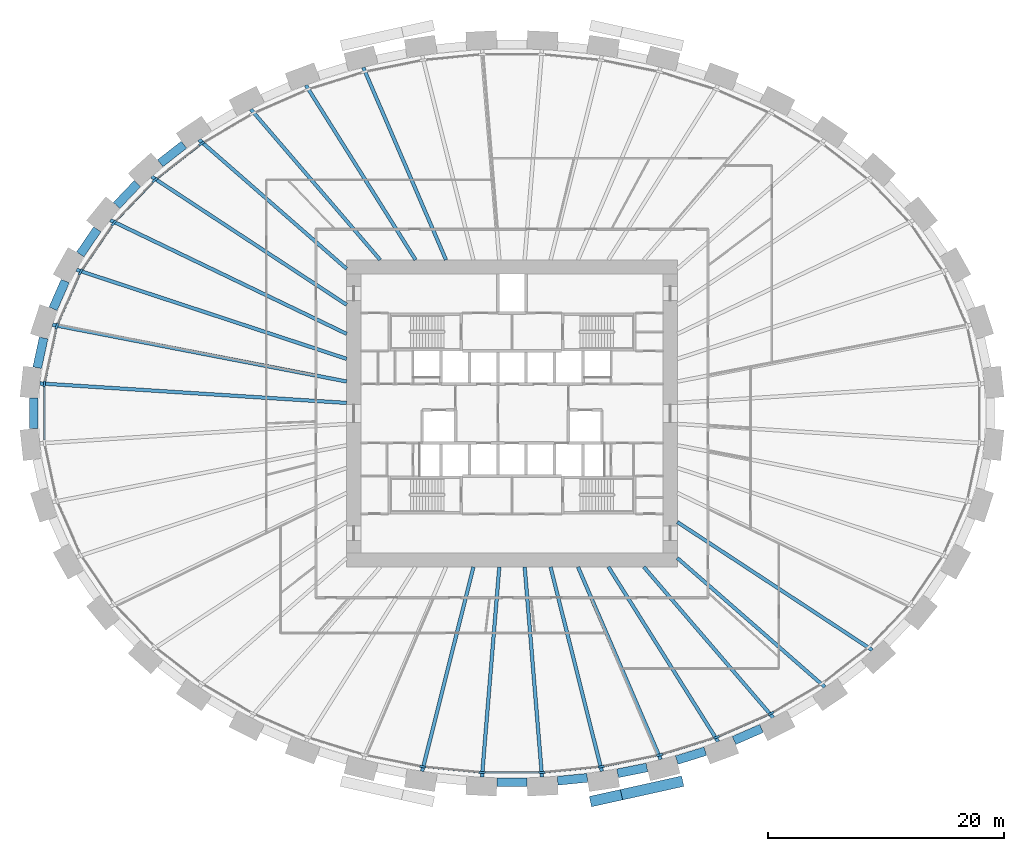
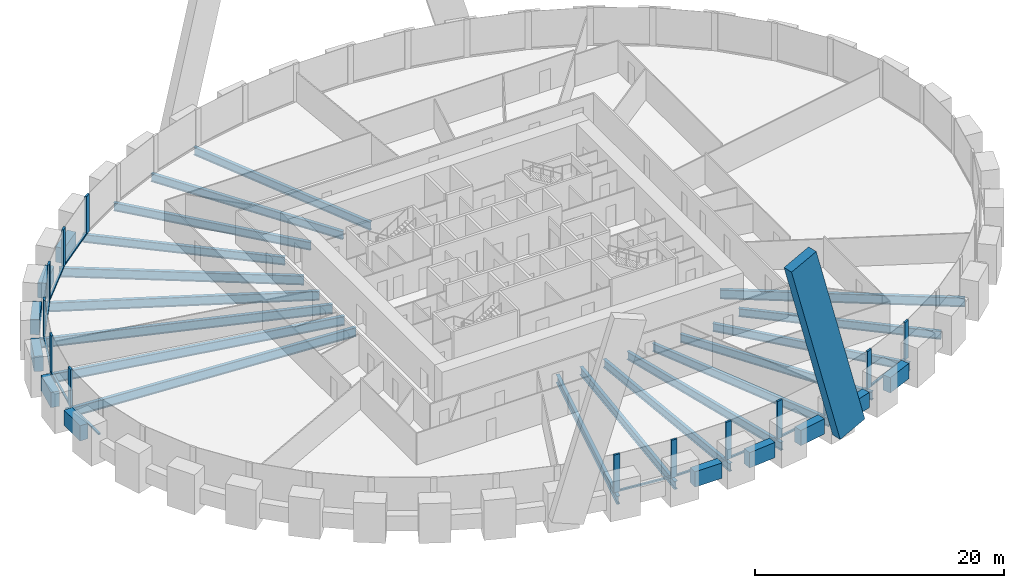
# One storey, part 2 of 11: 29 beams, 26 members, 1 element without a shape of its own.
"""IFC4 building model written with IfcOpenShell, lengths in metres."""

import ifcopenshell
import ifcopenshell.guid

model = None  # the IFC model being written
_history = None  # IfcOwnerHistory: only IFC2X3 demands one
_inside = {}  # id of a spatial element -> (the spatial element, [elements in it])
_under = {}  # id of a project, library or spatial element -> (it, [spatial elements below it])
_declared = {}  # id of a project -> (the project, [libraries it declares])
_typed = {}  # id of a type object -> (the type object, [elements of that type])
_made_of = {}  # id of a material, layer set ... -> (it, [elements and type objects made of it])


def new_model(schema):
    """Start an empty IFC model of exactly this schema.

    Asked for "IFC4X3", IfcOpenShell would pick the latest addendum, in which some entities
    have other attributes; the version numbers below select the first issue.
    IFC2X3 requires an IfcOwnerHistory on every rooted entity: one is made here for all.
    """
    global model, _history
    if schema == "IFC4X3":
        model = ifcopenshell.file(schema_version=(4, 3, 0, 0))
    else:
        model = ifcopenshell.file(schema=schema)
    _inside.clear()
    _under.clear()
    _declared.clear()
    _typed.clear()
    _made_of.clear()
    _history = None
    if model.schema == "IFC2X3":
        org = make("IfcOrganization", Name="unknown")
        user = make(
            "IfcPersonAndOrganization",
            ThePerson=make("IfcPerson", FamilyName="unknown"),
            TheOrganization=org,
        )
        app = make(
            "IfcApplication",
            ApplicationDeveloper=org,
            Version="unknown",
            ApplicationFullName="unknown",
            ApplicationIdentifier="unknown",
        )
        _history = make(
            "IfcOwnerHistory",
            OwningUser=user,
            OwningApplication=app,
            ChangeAction="ADDED",
            CreationDate=0,
        )
    return model


def make(cls, **values):
    """One entity of the class cls with the attributes given. An attribute that is None is left unset."""
    return model.create_entity(
        cls, **{name: value for name, value in values.items() if value is not None}
    )


def rooted(cls, **values):
    """An entity with a GlobalId (a new one), such as an element, a storey or a relation."""
    return make(cls, GlobalId=ifcopenshell.guid.new(), OwnerHistory=_history, **values)


def si_unit(unit_type, name, prefix=None):
    """IfcSIUnit, for example si_unit("LENGTHUNIT", "METRE", prefix="MILLI")."""
    return make("IfcSIUnit", UnitType=unit_type, Prefix=prefix, Name=name)


def assignment(units):
    """IfcUnitAssignment: the units of a project."""
    return None if units is None else make("IfcUnitAssignment", Units=units)


def point(xyz):
    """IfcCartesianPoint."""
    return None if xyz is None else make("IfcCartesianPoint", Coordinates=xyz)


def direction(xyz):
    """IfcDirection."""
    return None if xyz is None else make("IfcDirection", DirectionRatios=xyz)


def frame(location, z_axis=None, x_axis=None):
    """IfcAxis2Placement3D, a coordinate frame: its origin and axes. An axis left out is left unset."""
    return make(
        "IfcAxis2Placement3D",
        Location=point(location),
        Axis=direction(z_axis),
        RefDirection=direction(x_axis),
    )


def frame_2d(location, x_axis=None):
    """IfcAxis2Placement2D, a coordinate frame in the plane: its origin and x axis."""
    return make(
        "IfcAxis2Placement2D", Location=point(location), RefDirection=direction(x_axis)
    )


def origin():
    """The frame at (0, 0, 0) with its axes left unset."""
    return frame((0.0, 0.0, 0.0))


def origin_2d():
    """The frame at (0, 0) in the plane with its x axis left unset."""
    return frame_2d((0.0, 0.0))


def place(relative_to, where):
    """IfcLocalPlacement: puts the frame where relative to a parent placement (None: the world)."""
    return make(
        "IfcLocalPlacement", PlacementRelTo=relative_to, RelativePlacement=where
    )


def context(
    kind, dimensions, precision=None, world=None, true_north=None, identifier=None
):
    """IfcGeometricRepresentationContext, for example the 3D "Model" context."""
    return make(
        "IfcGeometricRepresentationContext",
        ContextIdentifier=identifier,
        ContextType=kind,
        CoordinateSpaceDimension=dimensions,
        Precision=precision,
        WorldCoordinateSystem=world,
        TrueNorth=true_north,
    )


def subcontext(parent, identifier, kind, view, scale=None):
    """IfcGeometricRepresentationSubContext, for example "Body" below "Model"."""
    return make(
        "IfcGeometricRepresentationSubContext",
        ContextIdentifier=identifier,
        ContextType=kind,
        ParentContext=parent,
        TargetScale=scale,
        TargetView=view,
    )


def project(units=None, contexts=None):
    """IfcProject with its units and contexts."""
    return rooted(
        "IfcProject",
        Name="project",
        RepresentationContexts=contexts,
        UnitsInContext=assignment(units),
    )


def spatial(cls, under=None, at=None, **own):
    """A site, building, storey or space (cls), placed at a placement, below another one or the project."""
    s = rooted(cls, ObjectPlacement=at, **own)
    if under is not None:
        _under.setdefault(under.id(), (under, []))[1].append(s)
    return s


def profile(cls, at=None, kind="AREA", **sizes):
    """A parametric profile (cls). Its sizes go by their IFC names, for example OverallWidth=200.0."""
    return make(cls, ProfileType=kind, Position=at, **sizes)


def rectangle(**sizes):
    """IfcRectangleProfileDef."""
    return profile("IfcRectangleProfileDef", **sizes)


def i_section(**sizes):
    """IfcIShapeProfileDef."""
    return profile("IfcIShapeProfileDef", **sizes)


def extrude(swept, where, along, depth):
    """IfcExtrudedAreaSolid: the profile swept, set in the frame where, extruded along a direction by depth."""
    return make(
        "IfcExtrudedAreaSolid",
        SweptArea=swept,
        Position=where,
        ExtrudedDirection=direction(along),
        Depth=depth,
    )


def shape(context_of_items, identifier, shape_type, items):
    """IfcShapeRepresentation: the items that make up one representation, for example the "Body"."""
    return make(
        "IfcShapeRepresentation",
        ContextOfItems=context_of_items,
        RepresentationIdentifier=identifier,
        RepresentationType=shape_type,
        Items=items,
    )


def source(mapping_origin, context_of_items, identifier, shape_type, items):
    """IfcRepresentationMap: a shape defined once, which mapped items show again and again."""
    return make(
        "IfcRepresentationMap",
        MappingOrigin=mapping_origin,
        MappedRepresentation=shape(context_of_items, identifier, shape_type, items),
    )


def transform(
    local_origin,
    x_axis=None,
    y_axis=None,
    z_axis=None,
    scale=None,
    scale2=None,
    scale3=None,
    uniform=True,
):
    """IfcCartesianTransformationOperator3D, or its non-uniform kind. x_axis, y_axis, z_axis: its Axis1, 2, 3."""
    if uniform:
        return make(
            "IfcCartesianTransformationOperator3D",
            Axis1=direction(x_axis),
            Axis2=direction(y_axis),
            LocalOrigin=point(local_origin),
            Scale=scale,
            Axis3=direction(z_axis),
        )
    return make(
        "IfcCartesianTransformationOperator3DnonUniform",
        Axis1=direction(x_axis),
        Axis2=direction(y_axis),
        LocalOrigin=point(local_origin),
        Scale=scale,
        Axis3=direction(z_axis),
        Scale2=scale2,
        Scale3=scale3,
    )


def mapped(mapping_source, mapping_target):
    """IfcMappedItem: shows the shape of a source again, moved by a transform."""
    return make(
        "IfcMappedItem", MappingSource=mapping_source, MappingTarget=mapping_target
    )


def material(Name=None, Category=None):
    """IfcMaterial."""
    return make("IfcMaterial", Name=Name, Category=Category)


def material_profile(
    of_material, cross_section, Name=None, Category=None, Priority=None
):
    """IfcMaterialProfile: a cross section and its material."""
    return make(
        "IfcMaterialProfile",
        Name=Name,
        Material=of_material,
        Profile=cross_section,
        Priority=Priority,
        Category=Category,
    )


def profile_set(profiles, Name=None, composite=None):
    """IfcMaterialProfileSet."""
    return make(
        "IfcMaterialProfileSet",
        Name=Name,
        MaterialProfiles=profiles,
        CompositeProfile=composite,
    )


def made_of(thing, what):
    """Note that an element or type object is made of a material, layer set ...; save() writes the relation."""
    if what is not None:
        _made_of.setdefault(what.id(), (what, []))[1].append(thing)
    return thing


def type_object(cls, material=None, **own):
    """A type object (cls), such as IfcWallType, which elements share."""
    return made_of(rooted(cls, **own), material)


def element(
    cls,
    number,
    at=None,
    inside=None,
    cuts=None,
    type_object=None,
    material=None,
    context=None,
    identifier="Body",
    shape_type=None,
    held_by="IfcProductDefinitionShape",
    body=None,
    shapes=None,
    **own,
):
    """One element of the class cls, such as IfcWall. Its Tag is "e" and its number.

    at: its placement. inside: the storey or other place that contains it. cuts: it is an
    opening in that element (IfcRelVoidsElement). A single representation is given by context,
    identifier, shape_type and body (its items); several are given by shapes. held_by: the class
    of the entity that holds the representations. save() writes the other relations.
    """
    e = rooted(cls, Tag="e%d" % number, ObjectPlacement=at, **own)
    if body is not None:
        shapes = [shape(context, identifier, shape_type, body)]
    if shapes is not None:
        e.Representation = make(held_by, Representations=shapes)
    if inside is not None:
        _inside.setdefault(inside.id(), (inside, []))[1].append(e)
    if cuts is not None:
        rooted(
            "IfcRelVoidsElement", RelatingBuildingElement=cuts, RelatedOpeningElement=e
        )
    if type_object is not None:
        _typed.setdefault(type_object.id(), (type_object, []))[1].append(e)
    return made_of(e, material)


def aggregate(whole, parts):
    """IfcRelAggregates: a whole, such as a stair, and the parts it consists of."""
    return rooted("IfcRelAggregates", RelatingObject=whole, RelatedObjects=parts)


def save(model, path):
    """Write the relations noted so far, then the file.

    IfcRelAggregates (storeys below a building ...), IfcRelContainedInSpatialStructure (elements
    in a storey), IfcRelDefinesByType, IfcRelAssociatesMaterial and IfcRelDeclares: one each for
    every whole, place, type object, material and project.
    """
    for whole, parts in _under.values():
        aggregate(whole, parts)
    for where, things in _inside.values():
        rooted(
            "IfcRelContainedInSpatialStructure",
            RelatedElements=things,
            RelatingStructure=where,
        )
    for kind, things in _typed.values():
        rooted("IfcRelDefinesByType", RelatedObjects=things, RelatingType=kind)
    for what, things in _made_of.values():
        rooted("IfcRelAssociatesMaterial", RelatedObjects=things, RelatingMaterial=what)
    for by, libraries in _declared.values():
        rooted("IfcRelDeclares", RelatingContext=by, RelatedDefinitions=libraries)
    model.write(path)


model = new_model("IFC4")

# Units and contexts
model_context = context("Model", 3, precision=1e-05, world=origin(), true_north=direction((0.0, 1.0)))
body_context = subcontext(model_context, "Body", "Model", "MODEL_VIEW")
ifc_project = project(units=[si_unit("LENGTHUNIT", "METRE"), si_unit("AREAUNIT", "SQUARE_METRE"), si_unit("VOLUMEUNIT", "CUBIC_METRE"), si_unit("PLANEANGLEUNIT", "RADIAN"), si_unit("MASSUNIT", "GRAM", prefix="KILO")], contexts=[model_context])

# Site, building, storey
site_placement = place(None, origin())
site = spatial("IfcSite", under=ifc_project, at=site_placement, CompositionType="ELEMENT")
building_placement = place(site_placement, origin())
building = spatial("IfcBuilding", under=site, at=building_placement, Name="Embergate Tower", CompositionType="ELEMENT")
storey_placement = place(building_placement, frame((0.0, 0.0, 73.699951171875)))
storey = spatial("IfcBuildingStorey", under=building, at=storey_placement, Name="L14", CompositionType="ELEMENT", Elevation=73.699951171875)

# Beams
ifc_material_1 = material(Name="Concrete C70", Category="concrete")
ifc_material_profile_1 = material_profile(ifc_material_1, rectangle(XDim=0.75, YDim=1.5, at=origin_2d()), Name="RC 750x1500")
ifc_profile_set_1 = profile_set([ifc_material_profile_1], Name="Concrete C70")
beam_type_1 = type_object("IfcBeamType", Name="Spandrel beam RC 750x1500 C70", PredefinedType="BEAM", material=ifc_profile_set_1)
shared_shape_1 = source(origin(), body_context, "Body", "SweptSolid", [
    extrude(rectangle(XDim=0.75, YDim=1.5, at=origin_2d()), origin(), (0.0, 0.0, 1.0), 2.5498046875),
])
beam_1_placement = place(storey_placement, frame((-31.72509765625, 19.4541015625, 0.0), z_axis=(-0.689760361446, -0.724037736432, 0.0), x_axis=(0.724037736432, -0.689760361446, 0.0)))
element("IfcBeam", 1, at=beam_1_placement, inside=storey, type_object=beam_type_1, Name="SPN-L14-17", PredefinedType="BEAM", context=body_context, shape_type="MappedRepresentation", body=[
    mapped(shared_shape_1, transform((0.0, 0.0, 0.0))),
])
shared_shape_2 = source(origin(), body_context, "Body", "SweptSolid", [
    extrude(rectangle(XDim=0.75, YDim=1.5, at=origin_2d()), origin(), (0.0, 0.0, 1.0), 2.5693359375),
])
beam_2_placement = place(storey_placement, frame((-39.662109375, 6.383056640625, 0.0), z_axis=(-0.210093623492, -0.977681271871, 0.0), x_axis=(0.977681271871, -0.210093623492, 0.0)))
element("IfcBeam", 2, at=beam_2_placement, inside=storey, type_object=beam_type_1, Name="SPN-L14-20", PredefinedType="BEAM", context=body_context, shape_type="MappedRepresentation", body=[
    mapped(shared_shape_2, transform((0.0, 0.0, 0.0))),
])
shared_shape_3 = source(origin(), body_context, "Body", "SweptSolid", [
    extrude(rectangle(XDim=0.75, YDim=1.5, at=origin_2d()), origin(), (0.0, 0.0, 1.0), 2.56591796875),
])
beam_3_placement = place(storey_placement, frame((-37.83203125, 11.20703125, 0.0), z_axis=(-0.401427690069, -0.915890719271, 0.0), x_axis=(0.915890719271, -0.401427690069, 0.0)))
element("IfcBeam", 3, at=beam_3_placement, inside=storey, type_object=beam_type_1, Name="SPN-L14-19", PredefinedType="BEAM", context=body_context, shape_type="MappedRepresentation", body=[
    mapped(shared_shape_3, transform((0.0, 0.0, 0.0))),
])
shared_shape_4 = source(origin(), body_context, "Body", "SweptSolid", [
    extrude(rectangle(XDim=0.75, YDim=1.5, at=origin_2d()), origin(), (0.0, 0.0, 1.0), 2.556640625),
])
beam_4_placement = place(storey_placement, frame((-35.117919921875, 15.5859375, 0.0), z_axis=(-0.562432772417, -0.826843018058, 0.0), x_axis=(0.826843018058, -0.562432772417, 0.0)))
element("IfcBeam", 4, at=beam_4_placement, inside=storey, type_object=beam_type_1, Name="SPN-L14-18", PredefinedType="BEAM", context=body_context, shape_type="MappedRepresentation", body=[
    mapped(shared_shape_4, transform((0.0, 0.0, 0.0))),
])
shared_shape_5 = source(origin(), body_context, "Body", "SweptSolid", [
    extrude(rectangle(XDim=0.75, YDim=1.5, at=origin_2d()), origin(), (0.0, 0.0, 1.0), 2.542724609375),
])
beam_5_placement = place(storey_placement, frame((-27.779052734375, 22.748046875, 0.0), z_axis=(-0.788472504965, -0.615070003264, 0.0), x_axis=(0.615070003264, -0.788472504965, 0.0)))
element("IfcBeam", 5, at=beam_5_placement, inside=storey, type_object=beam_type_1, Name="SPN-L14-16", PredefinedType="BEAM", context=body_context, shape_type="MappedRepresentation", body=[
    mapped(shared_shape_5, transform((0.0, 0.0, 0.0))),
])
shared_shape_6 = source(origin(), body_context, "Body", "SweptSolid", [
    extrude(rectangle(XDim=0.75, YDim=1.5, at=origin_2d()), origin(), (0.0, 0.0, 1.0), 2.53466796875),
])
beam_6_placement = place(storey_placement, frame((18.803955078125, -27.694091796875, 0.0), z_axis=(0.91612417153, 0.400894627474, 0.0), x_axis=(-0.400894627474, 0.91612417153, 0.0)))
element("IfcBeam", 6, at=beam_6_placement, inside=storey, type_object=beam_type_1, Name="SPN-L14-36", PredefinedType="BEAM", context=body_context, shape_type="MappedRepresentation", body=[
    mapped(shared_shape_6, transform((0.0, 0.0, 0.0))),
])
shared_shape_7 = source(origin(), body_context, "Body", "SweptSolid", [
    extrude(rectangle(XDim=0.75, YDim=1.5, at=origin_2d()), origin(), (0.0, 0.0, 1.0), 2.5322265625),
])
beam_7_placement = place(storey_placement, frame((13.949951171875, -29.35498046875, 0.0), z_axis=(0.954890803875, 0.296957156294, 0.0), x_axis=(-0.296957156294, 0.954890803875, 0.0)))
element("IfcBeam", 7, at=beam_7_placement, inside=storey, type_object=beam_type_1, Name="SPN-L14-35", PredefinedType="BEAM", context=body_context, shape_type="MappedRepresentation", body=[
    mapped(shared_shape_7, transform((0.0, 0.0, 0.0))),
])
shared_shape_8 = source(origin(), body_context, "Body", "SweptSolid", [
    extrude(rectangle(XDim=0.75, YDim=1.5, at=origin_2d()), origin(), (0.0, 0.0, 1.0), 2.5283203125),
])
beam_8_placement = place(storey_placement, frame((8.947021484375, -30.47607421875, 0.0), z_axis=(0.980483995477, 0.19659891814, 0.0), x_axis=(-0.19659891814, 0.980483995477, 0.0)))
element("IfcBeam", 8, at=beam_8_placement, inside=storey, type_object=beam_type_1, Name="SPN-L14-34", PredefinedType="BEAM", context=body_context, shape_type="MappedRepresentation", body=[
    mapped(shared_shape_8, transform((0.0, 0.0, 0.0))),
])
shared_shape_9 = source(origin(), body_context, "Body", "SweptSolid", [
    extrude(rectangle(XDim=0.75, YDim=1.5, at=origin_2d()), origin(), (0.0, 0.0, 1.0), 2.52685546875),
])
beam_9_placement = place(storey_placement, frame((3.861083984375, -31.10693359375, 0.0), z_axis=(0.995218218031, 0.097676499217, 0.0), x_axis=(-0.097676499217, 0.995218218031, 0.0)))
element("IfcBeam", 9, at=beam_9_placement, inside=storey, type_object=beam_type_1, Name="SPN-L14-33", PredefinedType="BEAM", context=body_context, shape_type="MappedRepresentation", body=[
    mapped(shared_shape_9, transform((0.0, 0.0, 0.0))),
])
shared_shape_10 = source(origin(), body_context, "Body", "SweptSolid", [
    extrude(rectangle(XDim=0.75, YDim=1.5, at=origin_2d()), origin(), (0.0, 0.0, 1.0), 2.52783203125),
])
beam_10_placement = place(storey_placement, frame((-1.263916015625, -31.23388671875, 0.0), z_axis=(1.0, 0.0, 0.0), x_axis=(0.0, 1.0, 0.0)))
element("IfcBeam", 10, at=beam_10_placement, inside=storey, type_object=beam_type_1, Name="SPN-L14-32", PredefinedType="BEAM", context=body_context, shape_type="MappedRepresentation", body=[
    mapped(shared_shape_10, transform((0.0, 0.0, 0.0))),
])
shared_shape_11 = source(origin(), body_context, "Body", "SweptSolid", [
    extrude(rectangle(XDim=0.75, YDim=1.5, at=origin_2d()), origin(), (0.0, 0.0, 1.0), 2.576171875),
])
beam_11_placement = place(storey_placement, frame((-40.4970703125, 1.2880859375, 0.0), z_axis=(0.0, -1.0, 0.0), x_axis=(1.0, 0.0, 0.0)))
element("IfcBeam", 11, at=beam_11_placement, inside=storey, type_object=beam_type_1, Name="SPN-L14-21", PredefinedType="BEAM", context=body_context, shape_type="MappedRepresentation", body=[
    mapped(shared_shape_11, transform((0.0, 0.0, 0.0))),
])
ifc_material_2 = material(Name="Steel Q355B", Category="steel")
ifc_material_profile_2 = material_profile(ifc_material_2, i_section(OverallWidth=0.300048828125, OverallDepth=0.89990234375, WebThickness=0.01611328125, FlangeThickness=0.028076171875, FilletRadius=0.028076171875, at=origin_2d()), Name="HN 900x300x16x28")
ifc_profile_set_2 = profile_set([ifc_material_profile_2], Name="Steel Q355 grade B")
beam_type_2 = type_object("IfcBeamType", Name="Radial girder HN 900x300x16x28", PredefinedType="BEAM", material=ifc_profile_set_2)
shared_shape_12 = source(origin(), body_context, "Body", "SweptSolid", [
    extrude(i_section(OverallWidth=0.300048828125, OverallDepth=0.89990234375, WebThickness=0.01611328125, FlangeThickness=0.028076171875, FilletRadius=0.028076171875, at=origin_2d()), origin(), (0.0, 0.0, 1.0), 26.034423828125),
])
beam_12_placement = place(storey_placement, frame((-39.98193359375, 2.5400390625, -0.64990234375), z_axis=(0.997986864702, -0.063420957753, 0.0), x_axis=(0.063420957753, 0.997986864702, 0.0)))
element("IfcBeam", 12, at=beam_12_placement, inside=storey, type_object=beam_type_2, Name="GIR-L14-21", PredefinedType="BEAM", context=body_context, shape_type="MappedRepresentation", body=[
    mapped(shared_shape_12, transform((0.0, 0.0, 0.0))),
])
shared_shape_13 = source(origin(), body_context, "Body", "SweptSolid", [
    extrude(i_section(OverallWidth=0.300048828125, OverallDepth=0.89990234375, WebThickness=0.01611328125, FlangeThickness=0.028076171875, FilletRadius=0.028076171875, at=origin_2d()), origin(), (0.0, 0.0, 1.0), 25.373291015625),
])
beam_13_placement = place(storey_placement, frame((-38.9140625, 7.507080078125, -0.64990234375), z_axis=(0.981896748495, -0.189416935078, 0.0), x_axis=(0.189416935078, 0.981896748495, 0.0)))
element("IfcBeam", 13, at=beam_13_placement, inside=storey, type_object=beam_type_2, Name="GIR-L14-20", PredefinedType="BEAM", context=body_context, shape_type="MappedRepresentation", body=[
    mapped(shared_shape_13, transform((0.0, 0.0, 0.0))),
])
shared_shape_14 = source(origin(), body_context, "Body", "SweptSolid", [
    extrude(i_section(OverallWidth=0.300048828125, OverallDepth=0.89990234375, WebThickness=0.01611328125, FlangeThickness=0.028076171875, FilletRadius=0.028076171875, at=origin_2d()), origin(), (0.0, 0.0, 1.0), 24.0849609375),
])
beam_14_placement = place(storey_placement, frame((-36.873046875, 12.160888671875, -0.64990234375), z_axis=(0.949680038857, -0.313221684748, 0.0), x_axis=(0.313221684748, 0.949680038857, 0.0)))
element("IfcBeam", 14, at=beam_14_placement, inside=storey, type_object=beam_type_2, Name="GIR-L14-19", PredefinedType="BEAM", context=body_context, shape_type="MappedRepresentation", body=[
    mapped(shared_shape_14, transform((0.0, 0.0, 0.0))),
])
shared_shape_15 = source(origin(), body_context, "Body", "SweptSolid", [
    extrude(i_section(OverallWidth=0.300048828125, OverallDepth=0.89990234375, WebThickness=0.01611328125, FlangeThickness=0.028076171875, FilletRadius=0.028076171875, at=origin_2d()), origin(), (0.0, 0.0, 1.0), 22.210693359375),
])
beam_15_placement = place(storey_placement, frame((-34.014892578125, 16.364013671875, -0.64990234375), z_axis=(0.90114054222, -0.433527073165, 0.0), x_axis=(0.433527073165, 0.90114054222, 0.0)))
element("IfcBeam", 15, at=beam_15_placement, inside=storey, type_object=beam_type_2, Name="GIR-L14-18", PredefinedType="BEAM", context=body_context, shape_type="MappedRepresentation", body=[
    mapped(shared_shape_15, transform((0.0, 0.0, 0.0))),
])
shared_shape_16 = source(origin(), body_context, "Body", "SweptSolid", [
    extrude(i_section(OverallWidth=0.300048828125, OverallDepth=0.89990234375, WebThickness=0.01611328125, FlangeThickness=0.028076171875, FilletRadius=0.028076171875, at=origin_2d()), origin(), (0.0, 0.0, 1.0), 19.75),
])
for number, where, z_axis, x_axis, name in (
    (16, (-30.506103515625, 20.04296875, -0.64990234375), (0.835749566876, -0.549110791614, 0.0), (0.549110791614, 0.835749566876, 0.0), "GIR-L14-17"),
    (17, (30.506103515625, -20.04296875, -0.64990234375), (-0.835749566876, 0.549110791614, 0.0), (-0.549110791614, -0.835749566876, 0.0), "GIR-L14-39"),
):
    element("IfcBeam", number, at=place(storey_placement, frame(where, z_axis=z_axis, x_axis=x_axis)), inside=storey, type_object=beam_type_2, Name=name, PredefinedType="BEAM", context=body_context, shape_type="MappedRepresentation", body=[
        mapped(shared_shape_16, transform((0.0, 0.0, 0.0))),
    ])
ifc_material_profile_3 = material_profile(ifc_material_2, i_section(OverallWidth=0.300048828125, OverallDepth=0.800048828125, WebThickness=0.013916015625, FlangeThickness=0.02587890625, FilletRadius=0.028076171875, at=origin_2d()), Name="HN 800x300x14x26")
ifc_profile_set_3 = profile_set([ifc_material_profile_3], Name="Steel Q355 grade B")
beam_type_3 = type_object("IfcBeamType", Name="Radial girder HN 800x300x14x26", PredefinedType="BEAM", material=ifc_profile_set_3)
shared_shape_17 = source(origin(), body_context, "Body", "SweptSolid", [
    extrude(i_section(OverallWidth=0.300048828125, OverallDepth=0.800048828125, WebThickness=0.013916015625, FlangeThickness=0.02587890625, FilletRadius=0.028076171875, at=origin_2d()), origin(), (0.0, 0.0, 1.0), 16.60205078125),
])
for number, where, z_axis, x_axis, name in (
    (18, (-26.4970703125, 23.172119140625, -0.599853515625), (0.752747930404, -0.65830885857, 0.0), (0.65830885857, 0.752747930404, 0.0), "GIR-L14-16"),
    (19, (26.4970703125, -23.172119140625, -0.599853515625), (-0.752747930404, 0.65830885857, 0.0), (-0.65830885857, -0.752747930404, 0.0), "GIR-L14-38"),
):
    element("IfcBeam", number, at=place(storey_placement, frame(where, z_axis=z_axis, x_axis=x_axis)), inside=storey, type_object=beam_type_3, Name=name, PredefinedType="BEAM", context=body_context, shape_type="MappedRepresentation", body=[
        mapped(shared_shape_17, transform((0.0, 0.0, 0.0))),
    ])
shared_shape_18 = source(origin(), body_context, "Body", "SweptSolid", [
    extrude(i_section(OverallWidth=0.300048828125, OverallDepth=0.800048828125, WebThickness=0.013916015625, FlangeThickness=0.02587890625, FilletRadius=0.028076171875, at=origin_2d()), origin(), (0.0, 0.0, 1.0), 16.805908203125),
])
for number, where, z_axis, x_axis, name in (
    (20, (-22.113037109375, 25.75, -0.599853515625), (0.651490955051, -0.758656401467, 0.0), (0.758656401467, 0.651490955051, 0.0), "GIR-L14-15"),
    (21, (22.113037109375, -25.75, -0.599853515625), (-0.651490955051, 0.758656401467, 0.0), (-0.758656401467, -0.651490955051, 0.0), "GIR-L14-37"),
):
    element("IfcBeam", number, at=place(storey_placement, frame(where, z_axis=z_axis, x_axis=x_axis)), inside=storey, type_object=beam_type_3, Name=name, PredefinedType="BEAM", context=body_context, shape_type="MappedRepresentation", body=[
        mapped(shared_shape_18, transform((0.0, 0.0, 0.0))),
    ])
shared_shape_19 = source(origin(), body_context, "Body", "SweptSolid", [
    extrude(i_section(OverallWidth=0.300048828125, OverallDepth=0.800048828125, WebThickness=0.013916015625, FlangeThickness=0.02587890625, FilletRadius=0.028076171875, at=origin_2d()), origin(), (0.0, 0.0, 1.0), 17.463623046875),
])
for number, where, z_axis, x_axis, name in (
    (22, (-17.451904296875, 27.7890625, -0.599853515625), (0.531837384954, -0.846846500828, 0.0), (0.846846500828, 0.531837384954, 0.0), "GIR-L14-14"),
    (23, (17.451904296875, -27.7890625, -0.599853515625), (-0.531837384954, 0.846846500828, 0.0), (-0.846846500828, -0.531837384954, 0.0), "GIR-L14-36"),
):
    element("IfcBeam", number, at=place(storey_placement, frame(where, z_axis=z_axis, x_axis=x_axis)), inside=storey, type_object=beam_type_3, Name=name, PredefinedType="BEAM", context=body_context, shape_type="MappedRepresentation", body=[
        mapped(shared_shape_19, transform((0.0, 0.0, 0.0))),
    ])
shared_shape_20 = source(origin(), body_context, "Body", "SweptSolid", [
    extrude(i_section(OverallWidth=0.300048828125, OverallDepth=0.800048828125, WebThickness=0.013916015625, FlangeThickness=0.02587890625, FilletRadius=0.028076171875, at=origin_2d()), origin(), (0.0, 0.0, 1.0), 17.7431640625),
])
for number, where, z_axis, x_axis, name in (
    (24, (-12.594970703125, 29.301025390625, -0.599853515625), (0.394915454917, -0.918717466617, 0.0), (0.918717466617, 0.394915454917, 0.0), "GIR-L14-13"),
    (25, (12.594970703125, -29.301025390625, -0.599853515625), (-0.394915454917, 0.918717466617, 0.0), (-0.918717466617, -0.394915454917, 0.0), "GIR-L14-35"),
):
    element("IfcBeam", number, at=place(storey_placement, frame(where, z_axis=z_axis, x_axis=x_axis)), inside=storey, type_object=beam_type_3, Name=name, PredefinedType="BEAM", context=body_context, shape_type="MappedRepresentation", body=[
        mapped(shared_shape_20, transform((0.0, 0.0, 0.0))),
    ])
shared_shape_21 = source(origin(), body_context, "Body", "SweptSolid", [
    extrude(i_section(OverallWidth=0.300048828125, OverallDepth=0.800048828125, WebThickness=0.013916015625, FlangeThickness=0.02587890625, FilletRadius=0.028076171875, at=origin_2d()), origin(), (0.0, 0.0, 1.0), 17.837890625),
])
for number, where, z_axis, x_axis, name in (
    (26, (-7.60693359375, -30.301025390625, -0.599853515625), (0.243472648056, 0.969907763475, 0.0), (-0.969907763475, 0.243472648056, 0.0), "GIR-L14-31"),
    (27, (7.60693359375, -30.301025390625, -0.599853515625), (-0.243472648056, 0.969907763475, 0.0), (-0.969907763475, -0.243472648056, 0.0), "GIR-L14-34"),
):
    element("IfcBeam", number, at=place(storey_placement, frame(where, z_axis=z_axis, x_axis=x_axis)), inside=storey, type_object=beam_type_3, Name=name, PredefinedType="BEAM", context=body_context, shape_type="MappedRepresentation", body=[
        mapped(shared_shape_21, transform((0.0, 0.0, 0.0))),
    ])
shared_shape_22 = source(origin(), body_context, "Body", "SweptSolid", [
    extrude(i_section(OverallWidth=0.300048828125, OverallDepth=0.800048828125, WebThickness=0.013916015625, FlangeThickness=0.02587890625, FilletRadius=0.028076171875, at=origin_2d()), origin(), (0.0, 0.0, 1.0), 17.859619140625),
])
for number, where, z_axis, x_axis, name in (
    (28, (-2.5439453125, -30.799072265625, -0.599853515625), (0.082306714571, 0.996607046301, 0.0), (-0.996607046301, 0.082306714571, 0.0), "GIR-L14-32"),
    (29, (2.5439453125, -30.799072265625, -0.599853515625), (-0.082306714571, 0.996607046301, 0.0), (-0.996607046301, -0.082306714571, 0.0), "GIR-L14-33"),
):
    element("IfcBeam", number, at=place(storey_placement, frame(where, z_axis=z_axis, x_axis=x_axis)), inside=storey, type_object=beam_type_3, Name=name, PredefinedType="BEAM", context=body_context, shape_type="MappedRepresentation", body=[
        mapped(shared_shape_22, transform((0.0, 0.0, 0.0))),
    ])

# Member
ifc_material_profile_4 = material_profile(ifc_material_1, rectangle(XDim=0.89990234375, YDim=2.800048828125, at=origin_2d()), Name="RC 900x2800")
ifc_profile_set_4 = profile_set([ifc_material_profile_4], Name="Concrete C70")
member_type_1 = type_object("IfcMemberType", Name="Lattice diagonal terracotta-faced RC 900x2800", PredefinedType="BRACE", material=ifc_profile_set_4)
shared_shape_23 = source(origin(), body_context, "Body", "SweptSolid", [
    extrude(rectangle(XDim=0.89990234375, YDim=2.800048828125, at=origin_2d()), origin(), (0.0, 0.0, 1.0), 19.676025390625),
])
member_1_placement = place(storey_placement, frame((13.136962890625, -31.43310546875, 0.032958984375), z_axis=(-0.26326188812, -0.05844198016, 0.962952601751), x_axis=(0.216716091224, -0.976234672507, 0.0)))
element("IfcMember", 30, at=member_1_placement, inside=storey, type_object=member_type_1, Name="BRP-S-1-03", PredefinedType="BRACE", context=body_context, shape_type="MappedRepresentation", body=[
    mapped(shared_shape_23, transform((0.0, 0.0, 0.0))),
])

# Curtain wall, members
ifc_material_3 = material(Name="Aluminium and glass", Category="aluminium")
curtain_wall_type = type_object("IfcCurtainWallType", Name="Recessed office glazing", PredefinedType="NOTDEFINED", material=ifc_material_3)
curtain_wall_placement = place(storey_placement, origin())
curtain_wall = element("IfcCurtainWall", 31, at=curtain_wall_placement, inside=storey, type_object=curtain_wall_type, Name="Recessed office glazing ring", ObjectType="RECESSED OFFICE GLAZING", PredefinedType="USERDEFINED")
ifc_material_4 = material(Name="Aluminium, thermally broken", Category="aluminium")
ifc_material_profile_5 = material_profile(ifc_material_4, rectangle(XDim=0.179931640625, YDim=0.52001953125, at=origin_2d()), Name="AL 520x180")
ifc_profile_set_5 = profile_set([ifc_material_profile_5], Name="Aluminium, thermally broken")
member_type_2 = type_object("IfcMemberType", Name="Office mullion", PredefinedType="MULLION", material=ifc_profile_set_5)
shared_shape_24 = source(origin(), body_context, "Body", "SweptSolid", [
    extrude(rectangle(XDim=0.179931640625, YDim=0.52001953125, at=origin_2d()), origin(), (0.0, 0.0, 1.0), 3.699951171875),
])
member_2_placement = place(storey_placement, frame((-26.278564453125, 22.849365234375, 0.0), z_axis=(0.0, 0.0, 1.0), x_axis=(0.562223392005, -0.826985403428, 0.0)))
member_2 = element("IfcMember", 32, at=member_2_placement, type_object=member_type_2, Name="CW mullion 17", PredefinedType="MULLION", context=body_context, shape_type="MappedRepresentation", body=[
    mapped(shared_shape_24, transform((0.0, 0.0, 0.0))),
])
member_3_placement = place(storey_placement, frame((-30.2451171875, 19.75341796875, 0.0), z_axis=(0.0, 0.0, 1.0), x_axis=(0.671234296295, -0.74124524921, 0.0)))
member_3 = element("IfcMember", 33, at=member_3_placement, type_object=member_type_2, Name="CW mullion 18", PredefinedType="MULLION", context=body_context, shape_type="MappedRepresentation", body=[
    mapped(shared_shape_24, transform((0.0, 0.0, 0.0))),
])
member_4_placement = place(storey_placement, frame((-33.712158203125, 16.11767578125, 0.0), z_axis=(0.0, 0.0, 1.0), x_axis=(0.777880241921, -0.628412547002, 0.0)))
member_4 = element("IfcMember", 34, at=member_4_placement, type_object=member_type_2, Name="CW mullion 19", PredefinedType="MULLION", context=body_context, shape_type="MappedRepresentation", body=[
    mapped(shared_shape_24, transform((0.0, 0.0, 0.0))),
])
member_5_placement = place(storey_placement, frame((-36.532470703125, 11.970458984375, 0.0), z_axis=(0.0, 0.0, 1.0), x_axis=(0.875007810402, -0.484108801547, 0.0)))
member_5 = element("IfcMember", 35, at=member_5_placement, type_object=member_type_2, Name="CW mullion 20", PredefinedType="MULLION", context=body_context, shape_type="MappedRepresentation", body=[
    mapped(shared_shape_24, transform((0.0, 0.0, 0.0))),
])
member_6_placement = place(storey_placement, frame((-38.543212890625, 7.3857421875, 0.0), z_axis=(0.0, 0.0, 1.0), x_axis=(0.951501019702, -0.307645590748, 0.0)))
member_6 = element("IfcMember", 36, at=member_6_placement, type_object=member_type_2, Name="CW mullion 21", PredefinedType="MULLION", context=body_context, shape_type="MappedRepresentation", body=[
    mapped(shared_shape_24, transform((0.0, 0.0, 0.0))),
])
member_7_placement = place(storey_placement, frame((-39.59521484375, 2.498291015625, 0.0), z_axis=(0.0, 0.0, 1.0), x_axis=(0.994385324123, -0.105819786286, 0.0)))
member_7 = element("IfcMember", 37, at=member_7_placement, type_object=member_type_2, Name="CW mullion 22", PredefinedType="MULLION", context=body_context, shape_type="MappedRepresentation", body=[
    mapped(shared_shape_24, transform((0.0, 0.0, 0.0))),
])
member_8_placement = place(storey_placement, frame((-7.549560546875, -29.915283203125, 0.0), z_axis=(0.0, 0.0, 1.0), x_axis=(0.14741410908, 0.98907486089, 0.0)))
member_8 = element("IfcMember", 38, at=member_8_placement, type_object=member_type_2, Name="CW mullion 32", PredefinedType="MULLION", context=body_context, shape_type="MappedRepresentation", body=[
    mapped(shared_shape_24, transform((0.0, 0.0, 0.0))),
])
member_9_placement = place(storey_placement, frame((-2.524658203125, -30.409423828125, 0.0), z_axis=(0.0, 0.0, 1.0), x_axis=(0.048971796621, 0.998800161762, 0.0)))
member_9 = element("IfcMember", 39, at=member_9_placement, type_object=member_type_2, Name="CW mullion 33", PredefinedType="MULLION", context=body_context, shape_type="MappedRepresentation", body=[
    mapped(shared_shape_24, transform((0.0, 0.0, 0.0))),
])
member_10_placement = place(storey_placement, frame((2.524658203125, -30.409423828125, 0.0), z_axis=(0.0, 0.0, 1.0), x_axis=(-0.048971796621, 0.998800161762, 0.0)))
member_10 = element("IfcMember", 40, at=member_10_placement, type_object=member_type_2, Name="CW mullion 34", PredefinedType="MULLION", context=body_context, shape_type="MappedRepresentation", body=[
    mapped(shared_shape_24, transform((0.0, 0.0, 0.0))),
])
member_11_placement = place(storey_placement, frame((7.549560546875, -29.915283203125, 0.0), z_axis=(0.0, 0.0, 1.0), x_axis=(-0.14741410908, 0.98907486089, 0.0)))
member_11 = element("IfcMember", 41, at=member_11_placement, type_object=member_type_2, Name="CW mullion 35", PredefinedType="MULLION", context=body_context, shape_type="MappedRepresentation", body=[
    mapped(shared_shape_24, transform((0.0, 0.0, 0.0))),
])
member_12_placement = place(storey_placement, frame((12.498779296875, -28.9228515625, 0.0), z_axis=(0.0, 0.0, 1.0), x_axis=(-0.247315263593, 0.968935065107, 0.0)))
member_12 = element("IfcMember", 42, at=member_12_placement, type_object=member_type_2, Name="CW mullion 36", PredefinedType="MULLION", context=body_context, shape_type="MappedRepresentation", body=[
    mapped(shared_shape_24, transform((0.0, 0.0, 0.0))),
])
member_13_placement = place(storey_placement, frame((17.31591796875, -27.422607421875, 0.0), z_axis=(0.0, 0.0, 1.0), x_axis=(-0.349507588628, 0.936933533124, 0.0)))
member_13 = element("IfcMember", 43, at=member_13_placement, type_object=member_type_2, Name="CW mullion 37", PredefinedType="MULLION", context=body_context, shape_type="MappedRepresentation", body=[
    mapped(shared_shape_24, transform((0.0, 0.0, 0.0))),
])
member_14_placement = place(storey_placement, frame((21.935791015625, -25.402587890625, 0.0), z_axis=(0.0, 0.0, 1.0), x_axis=(-0.454516044429, 0.890738550506, 0.0)))
member_14 = element("IfcMember", 44, at=member_14_placement, type_object=member_type_2, Name="CW mullion 38", PredefinedType="MULLION", context=body_context, shape_type="MappedRepresentation", body=[
    mapped(shared_shape_24, transform((0.0, 0.0, 0.0))),
])
ifc_material_profile_6 = material_profile(ifc_material_4, rectangle(XDim=0.179931640625, YDim=0.14990234375, at=origin_2d()), Name="AL 150x180")
ifc_profile_set_6 = profile_set([ifc_material_profile_6], Name="Aluminium, thermally broken")
member_type_3 = type_object("IfcMemberType", Name="Office sill transom", PredefinedType="USERDEFINED", material=ifc_profile_set_6)
shared_shape_25 = source(origin(), body_context, "Body", "SweptSolid", [
    extrude(rectangle(XDim=0.179931640625, YDim=0.14990234375, at=origin_2d()), origin(), (0.0, 0.0, 1.0), 4.50390625),
])
member_15_placement = place(storey_placement, frame((-30.42431640625, 19.565185546875, 0.074951171875), z_axis=(-0.69015852771, -0.723658211194, 0.0), x_axis=(0.723658211194, -0.69015852771, 0.0)))
member_15 = element("IfcMember", 45, at=member_15_placement, type_object=member_type_3, Name="CW transom 18.1", ObjectType="TRANSOM", PredefinedType="USERDEFINED", context=body_context, shape_type="MappedRepresentation", body=[
    mapped(shared_shape_25, transform((0.0, 0.0, 0.0))),
])
shared_shape_26 = source(origin(), body_context, "Body", "SweptSolid", [
    extrude(rectangle(XDim=0.179931640625, YDim=0.14990234375, at=origin_2d()), origin(), (0.0, 0.0, 1.0), 4.4794921875),
])
member_16_placement = place(storey_placement, frame((-38.597900390625, 7.131591796875, 0.074951171875), z_axis=(-0.210381382065, -0.977619391216, 0.0), x_axis=(0.977619391216, -0.210381382065, 0.0)))
member_16 = element("IfcMember", 46, at=member_16_placement, type_object=member_type_3, Name="CW transom 21.1", ObjectType="TRANSOM", PredefinedType="USERDEFINED", context=body_context, shape_type="MappedRepresentation", body=[
    mapped(shared_shape_26, transform((0.0, 0.0, 0.0))),
])
shared_shape_27 = source(origin(), body_context, "Body", "SweptSolid", [
    extrude(rectangle(XDim=0.179931640625, YDim=0.14990234375, at=origin_2d()), origin(), (0.0, 0.0, 1.0), 4.486328125),
])
member_17_placement = place(storey_placement, frame((-36.636962890625, 11.732421875, 0.074951171875), z_axis=(-0.401655089719, -0.915791018138, 0.0), x_axis=(0.915791018138, -0.401655089719, 0.0)))
member_17 = element("IfcMember", 47, at=member_17_placement, type_object=member_type_3, Name="CW transom 20.1", ObjectType="TRANSOM", PredefinedType="USERDEFINED", context=body_context, shape_type="MappedRepresentation", body=[
    mapped(shared_shape_27, transform((0.0, 0.0, 0.0))),
])
shared_shape_28 = source(origin(), body_context, "Body", "SweptSolid", [
    extrude(rectangle(XDim=0.179931640625, YDim=0.14990234375, at=origin_2d()), origin(), (0.0, 0.0, 1.0), 4.4951171875),
])
member_18_placement = place(storey_placement, frame((-33.8583984375, 15.902587890625, 0.074951171875), z_axis=(-0.562347159837, -0.826901246718, 0.0), x_axis=(0.826901246718, -0.562347159837, 0.0)))
member_18 = element("IfcMember", 48, at=member_18_placement, type_object=member_type_3, Name="CW transom 19.1", ObjectType="TRANSOM", PredefinedType="USERDEFINED", context=body_context, shape_type="MappedRepresentation", body=[
    mapped(shared_shape_28, transform((0.0, 0.0, 0.0))),
])
shared_shape_29 = source(origin(), body_context, "Body", "SweptSolid", [
    extrude(rectangle(XDim=0.179931640625, YDim=0.14990234375, at=origin_2d()), origin(), (0.0, 0.0, 1.0), 4.511474609375),
])
member_19_placement = place(storey_placement, frame((-26.4833984375, 22.689208984375, 0.074951171875), z_axis=(-0.788345870827, -0.615232304052, 0.0), x_axis=(0.615232304052, -0.788345870827, 0.0)))
member_19 = element("IfcMember", 49, at=member_19_placement, type_object=member_type_3, Name="CW transom 17.1", ObjectType="TRANSOM", PredefinedType="USERDEFINED", context=body_context, shape_type="MappedRepresentation", body=[
    mapped(shared_shape_29, transform((0.0, 0.0, 0.0))),
])
shared_shape_30 = source(origin(), body_context, "Body", "SweptSolid", [
    extrude(rectangle(XDim=0.179931640625, YDim=0.14990234375, at=origin_2d()), origin(), (0.0, 0.0, 1.0), 4.522216796875),
])
member_20_placement = place(storey_placement, frame((17.55419921875, -27.318359375, 0.074951171875), z_axis=(0.916232902024, 0.400646064812, 0.0), x_axis=(-0.400646064812, 0.916232902024, 0.0)))
member_20 = element("IfcMember", 50, at=member_20_placement, type_object=member_type_3, Name="CW transom 37.1", ObjectType="TRANSOM", PredefinedType="USERDEFINED", context=body_context, shape_type="MappedRepresentation", body=[
    mapped(shared_shape_30, transform((0.0, 0.0, 0.0))),
])
shared_shape_31 = source(origin(), body_context, "Body", "SweptSolid", [
    extrude(rectangle(XDim=0.179931640625, YDim=0.14990234375, at=origin_2d()), origin(), (0.0, 0.0, 1.0), 4.525390625),
])
member_21_placement = place(storey_placement, frame((12.746826171875, -28.845458984375, 0.074951171875), z_axis=(0.954780911234, 0.297310295051, 0.0), x_axis=(-0.297310295051, 0.954780911234, 0.0)))
member_21 = element("IfcMember", 51, at=member_21_placement, type_object=member_type_3, Name="CW transom 36.1", ObjectType="TRANSOM", PredefinedType="USERDEFINED", context=body_context, shape_type="MappedRepresentation", body=[
    mapped(shared_shape_31, transform((0.0, 0.0, 0.0))),
])
shared_shape_32 = source(origin(), body_context, "Body", "SweptSolid", [
    extrude(rectangle(XDim=0.179931640625, YDim=0.14990234375, at=origin_2d()), origin(), (0.0, 0.0, 1.0), 4.52783203125),
])
member_22_placement = place(storey_placement, frame((7.804443359375, -29.8642578125, 0.074951171875), z_axis=(0.980485162379, 0.19659309844, 0.0), x_axis=(-0.19659309844, 0.980485162379, 0.0)))
member_22 = element("IfcMember", 52, at=member_22_placement, type_object=member_type_3, Name="CW transom 35.1", ObjectType="TRANSOM", PredefinedType="USERDEFINED", context=body_context, shape_type="MappedRepresentation", body=[
    mapped(shared_shape_32, transform((0.0, 0.0, 0.0))),
])
shared_shape_33 = source(origin(), body_context, "Body", "SweptSolid", [
    extrude(rectangle(XDim=0.179931640625, YDim=0.14990234375, at=origin_2d()), origin(), (0.0, 0.0, 1.0), 4.529052734375),
])
member_23_placement = place(storey_placement, frame((-7.290771484375, -29.94091796875, 0.074951171875), z_axis=(0.995207563955, -0.09778499193, 0.0), x_axis=(0.09778499193, 0.995207563955, 0.0)))
member_23 = element("IfcMember", 53, at=member_23_placement, type_object=member_type_3, Name="CW transom 32.1", ObjectType="TRANSOM", PredefinedType="USERDEFINED", context=body_context, shape_type="MappedRepresentation", body=[
    mapped(shared_shape_33, transform((0.0, 0.0, 0.0))),
])
member_24_placement = place(storey_placement, frame((2.783447265625, -30.3837890625, 0.074951171875), z_axis=(0.995207563955, 0.09778499193, 0.0), x_axis=(-0.09778499193, 0.995207563955, 0.0)))
member_24 = element("IfcMember", 54, at=member_24_placement, type_object=member_type_3, Name="CW transom 34.1", ObjectType="TRANSOM", PredefinedType="USERDEFINED", context=body_context, shape_type="MappedRepresentation", body=[
    mapped(shared_shape_33, transform((0.0, 0.0, 0.0))),
])
shared_shape_34 = source(origin(), body_context, "Body", "SweptSolid", [
    extrude(rectangle(XDim=0.179931640625, YDim=0.14990234375, at=origin_2d()), origin(), (0.0, 0.0, 1.0), 4.529296875),
])
member_25_placement = place(storey_placement, frame((-2.2646484375, -30.409423828125, 0.074951171875), z_axis=(1.0, 0.0, 0.0), x_axis=(0.0, 1.0, 0.0)))
member_25 = element("IfcMember", 55, at=member_25_placement, type_object=member_type_3, Name="CW transom 33.1", ObjectType="TRANSOM", PredefinedType="USERDEFINED", context=body_context, shape_type="MappedRepresentation", body=[
    mapped(shared_shape_34, transform((0.0, 0.0, 0.0))),
])
shared_shape_35 = source(origin(), body_context, "Body", "SweptSolid", [
    extrude(rectangle(XDim=0.179931640625, YDim=0.14990234375, at=origin_2d()), origin(), (0.0, 0.0, 1.0), 4.4765625),
])
member_26_placement = place(storey_placement, frame((-39.59521484375, 2.23828125, 0.074951171875), z_axis=(0.0, -1.0, 0.0), x_axis=(1.0, 0.0, 0.0)))
member_26 = element("IfcMember", 56, at=member_26_placement, type_object=member_type_3, Name="CW transom 22.1", ObjectType="TRANSOM", PredefinedType="USERDEFINED", context=body_context, shape_type="MappedRepresentation", body=[
    mapped(shared_shape_35, transform((0.0, 0.0, 0.0))),
])
aggregate(curtain_wall, [member_2, member_3, member_4, member_5, member_6, member_7, member_8, member_9, member_10, member_11, member_12, member_13, member_14, member_19, member_15, member_18, member_17, member_16, member_26, member_23, member_25, member_24, member_22, member_21, member_20])

save(model, "model.ifc")
